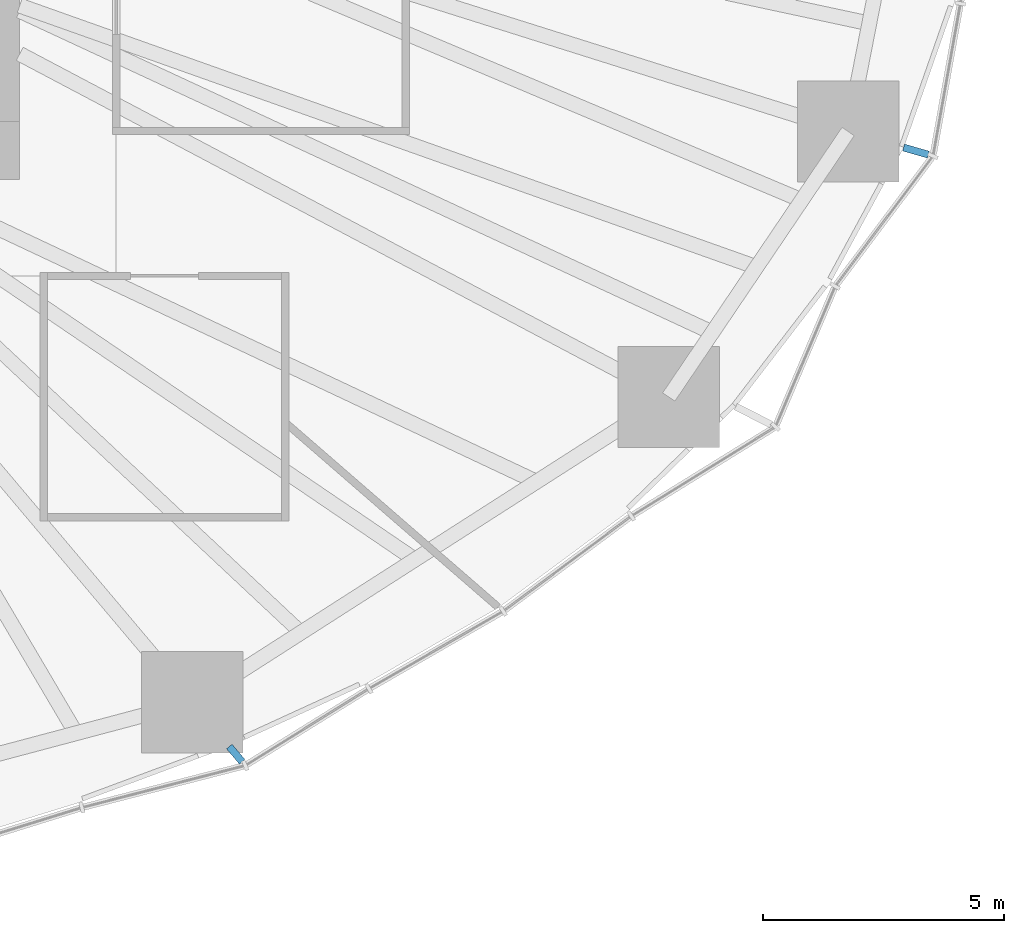
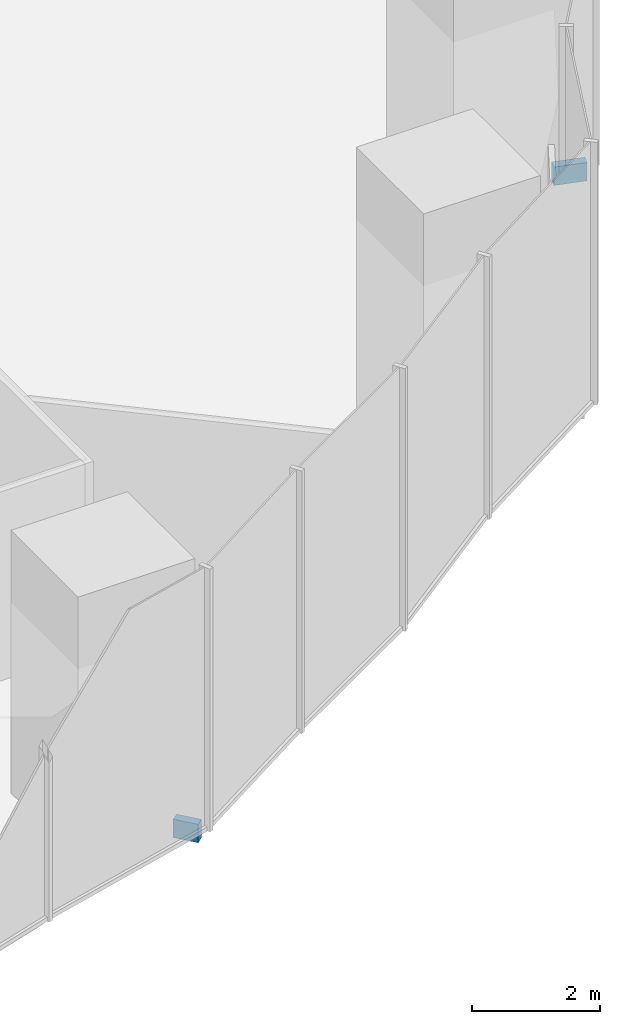
# One storey, part 14 of 20: 2 discrete accessories.
"""IFC4 building model written with IfcOpenShell, lengths in metres."""

from ifc_helpers import new_model, si_unit, direction, frame, origin, origin_2d, place, context, subcontext, project, spatial, rectangle, extrude, material, type_object, element, save


model = new_model("IFC4")

# Units and contexts
model_context = context("Model", 3, precision=1e-05, world=origin(), true_north=direction((0.0, 1.0)))
body_context = subcontext(model_context, "Body", "Model", "MODEL_VIEW")
ifc_project = project(units=[si_unit("LENGTHUNIT", "METRE"), si_unit("AREAUNIT", "SQUARE_METRE"), si_unit("VOLUMEUNIT", "CUBIC_METRE"), si_unit("PLANEANGLEUNIT", "RADIAN"), si_unit("MASSUNIT", "GRAM", prefix="KILO")], contexts=[model_context])

# Site, building, storey
site_placement = place(None, origin())
site = spatial("IfcSite", under=ifc_project, at=site_placement, CompositionType="ELEMENT")
building_placement = place(site_placement, origin())
building = spatial("IfcBuilding", under=site, at=building_placement, Name="Ghaith Harvest Tower", CompositionType="ELEMENT")
storey_placement = place(building_placement, frame((0.0, 0.0, 20.0)))
storey = spatial("IfcBuildingStorey", under=building, at=storey_placement, Name="L04", CompositionType="ELEMENT", Elevation=20.0)

# Discrete accessories
ifc_material_1 = material(Name="Stainless steel grade 1.4401", Category="steel")
discrete_accessory_type_1 = type_object("IfcDiscreteAccessoryType", Name="CURTAIN WALL BRACKET 415", PredefinedType="BRACKET", material=ifc_material_1)
discrete_accessory_1_placement = place(storey_placement, frame((18.475830078125, -21.90966796875, -0.25), z_axis=(0.0, 0.0, 1.0), x_axis=(0.644657240069, -0.764471741025, 0.0)))
element("IfcDiscreteAccessory", 1, at=discrete_accessory_1_placement, inside=storey, type_object=discrete_accessory_type_1, Name="CW-F bracket 1 bay 18 L04", PredefinedType="BRACKET", context=body_context, shape_type="SweptSolid", body=[
    extrude(rectangle(XDim=0.4150390625, YDim=0.14990234375, at=origin_2d()), origin(), (0.0, 0.0, 1.0), 0.35009765625),
])
ifc_material_2 = material(Name="Stainless steel grade 1.4401", Category="steel")
discrete_accessory_type_2 = type_object("IfcDiscreteAccessoryType", Name="CURTAIN WALL BRACKET 535", PredefinedType="BRACKET", material=ifc_material_2)
discrete_accessory_2_placement = place(storey_placement, frame((32.570556640625, -9.41357421875, -0.25), z_axis=(0.0, 0.0, 1.0), x_axis=(0.960680349932, -0.277656739976, 0.0)))
element("IfcDiscreteAccessory", 2, at=discrete_accessory_2_placement, inside=storey, type_object=discrete_accessory_type_2, Name="CW-F bracket 1 bay 20 L04", PredefinedType="BRACKET", context=body_context, shape_type="SweptSolid", body=[
    extrude(rectangle(XDim=0.534912109375, YDim=0.14990234375, at=origin_2d()), origin(), (0.0, 0.0, 1.0), 0.35009765625),
])

save(model, "model.ifc")
